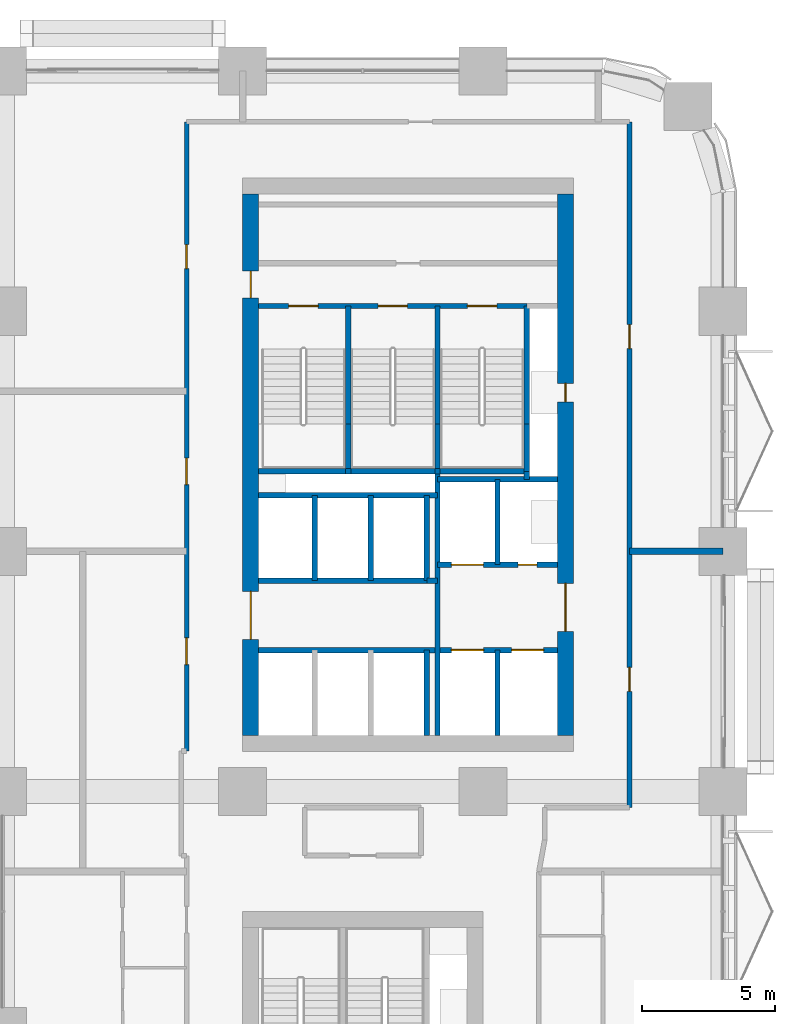
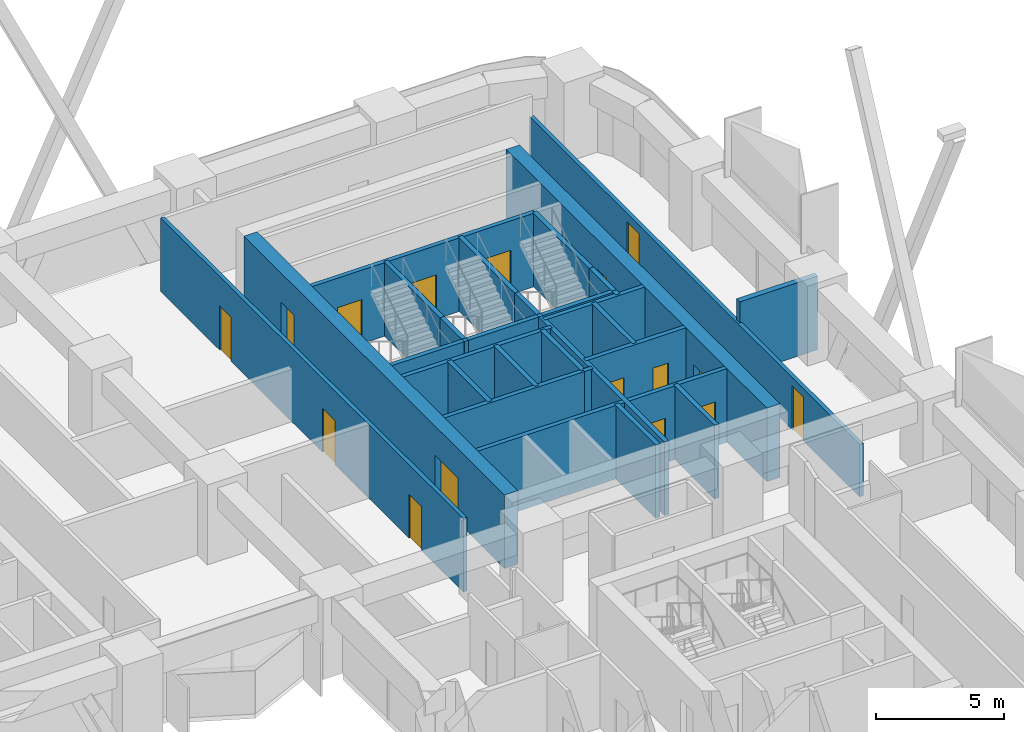
# One storey, part 16 of 19: 31 walls, 16 doors, 16 openings.
"""IFC4 building model written with IfcOpenShell, lengths in metres."""

from ifc_helpers import new_model, si_unit, direction, frame, frame_2d, origin, place, context, subcontext, project, spatial, rectangle, extrude, material, layer, layer_set, type_object, element, fill, save


model = new_model("IFC4")

# Units and contexts
model_context = context("Model", 3, precision=1e-05, world=origin(), true_north=direction((0.0, 1.0)))
body_context = subcontext(model_context, "Body", "Model", "MODEL_VIEW")
ifc_project = project(units=[si_unit("LENGTHUNIT", "METRE"), si_unit("AREAUNIT", "SQUARE_METRE"), si_unit("VOLUMEUNIT", "CUBIC_METRE"), si_unit("PLANEANGLEUNIT", "RADIAN"), si_unit("MASSUNIT", "GRAM", prefix="KILO")], contexts=[model_context])

# Site, building, storey
site_placement = place(None, origin())
site = spatial("IfcSite", under=ifc_project, at=site_placement, CompositionType="ELEMENT")
building_placement = place(site_placement, origin())
building = spatial("IfcBuilding", under=site, at=building_placement, Name="Tessera Arch", CompositionType="ELEMENT")
storey_placement = place(building_placement, frame((0.0, 0.0, 93.0)))
storey = spatial("IfcBuildingStorey", under=building, at=storey_placement, Name="L21", CompositionType="ELEMENT", Elevation=93.0)

# Wall
ifc_material_1 = material(Name="Gypsum board on steel stud", Category="steel")
ifc_layer_1 = layer(ifc_material_1, 0.125)
ifc_layer_set_1 = layer_set([ifc_layer_1], Name="Core partition 125 EI 60")
wall_type_1 = type_object("IfcWallType", Name="Core partition 125 EI 60", PredefinedType="PARTITIONING", material=ifc_layer_set_1)
wall_1_placement = place(storey_placement, frame((42.89990234375, 34.89990234375, 0.0), z_axis=(0.0, 0.0, 1.0), x_axis=(1.0, 0.0, 0.0)))
element("IfcWall", 1, at=wall_1_placement, inside=storey, type_object=wall_type_1, Name="L21 C1 partition wall 18", PredefinedType="PARTITIONING", context=body_context, shape_type="SweptSolid", body=[
    extrude(rectangle(XDim=0.400146484375, YDim=0.199951171875, at=frame_2d((0.2001953125, 0.0))), origin(), (0.0, 0.0, 1.0), 3.5),
])

# Wall, openings, doors
ifc_material_2 = material(Name="Concrete C70/85", Category="concrete")
ifc_layer_2 = layer(ifc_material_2, 0.60009765625)
ifc_layer_set_2 = layer_set([ifc_layer_2], Name="Core shell wall 600 C70-85")
wall_type_2 = type_object("IfcWallType", Name="Core shell wall 600 C70-85", PredefinedType="SHEAR", material=ifc_layer_set_2)
wall_2_placement = place(storey_placement, frame((36.300048828125, 29.10009765625, 0.0), z_axis=(0.0, 0.0, 1.0), x_axis=(0.0, 1.0, 0.0)))
wall_2 = element("IfcWall", 2, at=wall_2_placement, inside=storey, type_object=wall_type_2, Name="L21 C1 core wall W", PredefinedType="SHEAR", context=body_context, shape_type="SweptSolid", body=[
    extrude(rectangle(XDim=20.2998046875, YDim=0.60009765625, at=frame_2d((10.14990234375, 0.0))), origin(), (0.0, 0.0, 1.0), 3.5),
])
opening_1_placement = place(wall_2_placement, frame((3.60009765625, 0.0, 0.0)))
opening_1 = element("IfcOpeningElement", 3, at=opening_1_placement, cuts=wall_2, Name="Opening L21-C04", PredefinedType="OPENING", context=body_context, shape_type="SweptSolid", body=[
    extrude(rectangle(XDim=1.800048828125, YDim=2.10009765625, at=frame_2d((0.89990234375, 1.050048828125))), frame((0.0, 0.31005859375, 0.0), z_axis=(0.0, -1.0, 0.0), x_axis=(1.0, 0.0, 0.0)), (0.0, 0.0, 1.0), 0.6201171875),
])
opening_2_placement = place(wall_2_placement, frame((16.39990234375, 0.0, 0.0)))
opening_2 = element("IfcOpeningElement", 4, at=opening_2_placement, cuts=wall_2, Name="Opening L21-C11", PredefinedType="OPENING", context=body_context, shape_type="SweptSolid", body=[
    extrude(rectangle(XDim=1.0, YDim=2.10009765625, at=frame_2d((0.5, 1.050048828125))), frame((0.0, 0.31005859375, 0.0), z_axis=(0.0, -1.0, 0.0), x_axis=(1.0, 0.0, 0.0)), (0.0, 0.0, 1.0), 0.6201171875),
])
ifc_material_3 = material(Name="Steel door leaf", Category="steel")
door_type_1 = type_object("IfcDoorType", Name="Corridor door FD60 1000 x 2100", OperationType="SINGLE_SWING_LEFT", PredefinedType="DOOR", material=ifc_material_3)
door_1_placement = place(opening_2_placement, origin())
door_1 = element("IfcDoor", 5, at=door_1_placement, inside=storey, type_object=door_type_1, Name="L21 C1 door 11 C11 type D12", OperationType="SINGLE_SWING_RIGHT", OverallHeight=2.10009765625, OverallWidth=1.0, PredefinedType="DOOR", context=body_context, shape_type="SweptSolid", body=[
    extrude(rectangle(XDim=1.0, YDim=2.10009765625, at=frame_2d((0.5, 1.050048828125))), frame((0.0, 0.02490234375, 0.0), z_axis=(0.0, -1.0, 0.0), x_axis=(1.0, 0.0, 0.0)), (0.0, 0.0, 1.0), 0.050048828125),
])
fill(opening_2, door_1)
ifc_material_4 = material(Name="Glazed steel door leaf", Category="steel")
door_type_2 = type_object("IfcDoorType", Name="Lobby double door FD30S 1800 x 2100", OperationType="DOUBLE_DOOR_SINGLE_SWING", PredefinedType="DOOR", material=ifc_material_4)
door_2_placement = place(opening_1_placement, origin())
door_2 = element("IfcDoor", 6, at=door_2_placement, inside=storey, type_object=door_type_2, Name="L21 C1 door 4 C04 type D06", OperationType="DOUBLE_DOOR_SINGLE_SWING", OverallHeight=2.10009765625, OverallWidth=1.800048828125, PredefinedType="DOOR", context=body_context, shape_type="SweptSolid", body=[
    extrude(rectangle(XDim=1.800048828125, YDim=2.10009765625, at=frame_2d((0.89990234375, 1.050048828125))), frame((0.0, 0.02490234375, 0.0), z_axis=(0.0, -1.0, 0.0), x_axis=(1.0, 0.0, 0.0)), (0.0, 0.0, 1.0), 0.050048828125),
])
fill(opening_1, door_2)

wall_3_placement = place(storey_placement, frame((48.10009765625, 29.10009765625, 0.0), z_axis=(0.0, 0.0, 1.0), x_axis=(0.0, 1.0, 0.0)))
wall_3 = element("IfcWall", 7, at=wall_3_placement, inside=storey, type_object=wall_type_2, Name="L21 C1 core wall E", PredefinedType="SHEAR", context=body_context, shape_type="SweptSolid", body=[
    extrude(rectangle(XDim=20.2998046875, YDim=0.60009765625, at=frame_2d((10.14990234375, 0.0))), origin(), (0.0, 0.0, 1.0), 3.5),
])
opening_3_placement = place(wall_3_placement, frame((12.5, 0.0, 0.0)))
opening_3 = element("IfcOpeningElement", 8, at=opening_3_placement, cuts=wall_3, Name="Opening L21-C08", PredefinedType="OPENING", context=body_context, shape_type="SweptSolid", body=[
    extrude(rectangle(XDim=0.699951171875, YDim=2.10009765625, at=frame_2d((0.35009765625, 1.050048828125))), frame((0.0, 0.31005859375, 0.0), z_axis=(0.0, -1.0, 0.0), x_axis=(1.0, 0.0, 0.0)), (0.0, 0.0, 1.0), 0.6201171875),
])
opening_4_placement = place(wall_3_placement, frame((3.89990234375, 0.0, 0.0)))
opening_4 = element("IfcOpeningElement", 9, at=opening_4_placement, cuts=wall_3, Name="Opening L21-C09", PredefinedType="OPENING", context=body_context, shape_type="SweptSolid", body=[
    extrude(rectangle(XDim=1.800048828125, YDim=2.10009765625, at=frame_2d((0.89990234375, 1.050048828125))), frame((0.0, 0.31005859375, 0.0), z_axis=(0.0, -1.0, 0.0), x_axis=(1.0, 0.0, 0.0)), (0.0, 0.0, 1.0), 0.6201171875),
])
ifc_material_5 = material(Name="Glazed steel door leaf", Category="steel")
door_type_3 = type_object("IfcDoorType", Name="Lobby double door FD60 1800 x 2100", OperationType="DOUBLE_DOOR_SINGLE_SWING", PredefinedType="DOOR", material=ifc_material_5)
door_3_placement = place(opening_4_placement, origin())
door_3 = element("IfcDoor", 10, at=door_3_placement, inside=storey, type_object=door_type_3, Name="L21 C1 door 9 C09 type D19", OperationType="DOUBLE_DOOR_SINGLE_SWING", OverallHeight=2.10009765625, OverallWidth=1.800048828125, PredefinedType="DOOR", context=body_context, shape_type="SweptSolid", body=[
    extrude(rectangle(XDim=1.800048828125, YDim=2.10009765625, at=frame_2d((0.89990234375, 1.050048828125))), frame((0.0, 0.02490234375, 0.0), z_axis=(0.0, -1.0, 0.0), x_axis=(1.0, 0.0, 0.0)), (0.0, 0.0, 1.0), 0.050048828125),
])
fill(opening_4, door_3)
ifc_material_6 = material(Name="Steel door leaf", Category="steel")
door_type_4 = type_object("IfcDoorType", Name="Service shaft door FD60 700 x 2100", OperationType="SINGLE_SWING_LEFT", PredefinedType="DOOR", material=ifc_material_6)
door_4_placement = place(opening_3_placement, origin())
door_4 = element("IfcDoor", 11, at=door_4_placement, inside=storey, type_object=door_type_4, Name="L21 C1 door 8 C08 type D07", OperationType="SINGLE_SWING_RIGHT", OverallHeight=2.10009765625, OverallWidth=0.699951171875, PredefinedType="DOOR", context=body_context, shape_type="SweptSolid", body=[
    extrude(rectangle(XDim=0.699951171875, YDim=2.10009765625, at=frame_2d((0.35009765625, 1.050048828125))), frame((0.0, 0.02490234375, 0.0), z_axis=(0.0, -1.0, 0.0), x_axis=(1.0, 0.0, 0.0)), (0.0, 0.0, 1.0), 0.050048828125),
])
fill(opening_3, door_4)

ifc_material_7 = material(Name="Gypsum board on deep steel stud with mineral wool", Category="steel")
ifc_layer_3 = layer(ifc_material_7, 0.175048828125)
ifc_layer_set_3 = layer_set([ifc_layer_3], Name="Corridor wall 175 EI 60")
wall_type_3 = type_object("IfcWallType", Name="Corridor wall 175 EI 60", PredefinedType="PARTITIONING", material=ifc_layer_set_3)
wall_4_placement = place(storey_placement, frame((33.89990234375, 28.52001953125, 0.0), z_axis=(0.0, 0.0, 1.0), x_axis=(0.0, 1.0, 0.0)))
wall_4 = element("IfcWall", 12, at=wall_4_placement, inside=storey, type_object=wall_type_3, Name="L21 partition 15", PredefinedType="PARTITIONING", context=body_context, shape_type="SweptSolid", body=[
    extrude(rectangle(XDim=23.580078125, YDim=0.175048828125, at=frame_2d((11.7900390625, 0.0))), origin(), (0.0, 0.0, 1.0), 3.5),
])
opening_5_placement = place(wall_4_placement, frame((3.239990234375, 0.0, 0.0)))
opening_5 = element("IfcOpeningElement", 13, at=opening_5_placement, cuts=wall_4, Name="Opening L21-D014", PredefinedType="OPENING", context=body_context, shape_type="SweptSolid", body=[
    extrude(rectangle(XDim=1.0, YDim=2.10009765625, at=frame_2d((0.5, 1.050048828125))), frame((0.0, 0.097412109375, 0.0), z_axis=(0.0, -1.0, 0.0), x_axis=(1.0, 0.0, 0.0)), (0.0, 0.0, 1.0), 0.195068359375),
])
opening_6_placement = place(wall_4_placement, frame((9.97998046875, 0.0, 0.0)))
opening_6 = element("IfcOpeningElement", 14, at=opening_6_placement, cuts=wall_4, Name="Opening L21-D017", PredefinedType="OPENING", context=body_context, shape_type="SweptSolid", body=[
    extrude(rectangle(XDim=1.0, YDim=2.10009765625, at=frame_2d((0.5, 1.050048828125))), frame((0.0, 0.097412109375, 0.0), z_axis=(0.0, -1.0, 0.0), x_axis=(1.0, 0.0, 0.0)), (0.0, 0.0, 1.0), 0.195068359375),
])
opening_7_placement = place(wall_4_placement, frame((18.080078125, 0.0, 0.0)))
opening_7 = element("IfcOpeningElement", 15, at=opening_7_placement, cuts=wall_4, Name="Opening L21-D021", PredefinedType="OPENING", context=body_context, shape_type="SweptSolid", body=[
    extrude(rectangle(XDim=0.89990234375, YDim=2.10009765625, at=frame_2d((0.449951171875, 1.050048828125))), frame((0.0, 0.097412109375, 0.0), z_axis=(0.0, -1.0, 0.0), x_axis=(1.0, 0.0, 0.0)), (0.0, 0.0, 1.0), 0.195068359375),
])
ifc_material_8 = material(Name="Fire-rated door leaf")
door_type_5 = type_object("IfcDoorType", Name="Entrance door FD30S 1000 x 2100", OperationType="SINGLE_SWING_LEFT", PredefinedType="DOOR", material=ifc_material_8)
door_5_placement = place(opening_5_placement, origin())
door_5 = element("IfcDoor", 16, at=door_5_placement, inside=storey, type_object=door_type_5, Name="L21 door D014 type D03", OperationType="SINGLE_SWING_RIGHT", OverallHeight=2.10009765625, OverallWidth=1.0, PredefinedType="DOOR", context=body_context, shape_type="SweptSolid", body=[
    extrude(rectangle(XDim=1.0, YDim=2.10009765625, at=frame_2d((0.5, 1.050048828125))), frame((0.0, 0.02490234375, 0.0), z_axis=(0.0, -1.0, 0.0), x_axis=(1.0, 0.0, 0.0)), (0.0, 0.0, 1.0), 0.050048828125),
])
fill(opening_5, door_5)
door_6_placement = place(opening_6_placement, origin())
door_6 = element("IfcDoor", 17, at=door_6_placement, inside=storey, type_object=door_type_5, Name="L21 door D017 type D03", OperationType="SINGLE_SWING_LEFT", OverallHeight=2.10009765625, OverallWidth=1.0, PredefinedType="DOOR", context=body_context, shape_type="SweptSolid", body=[
    extrude(rectangle(XDim=1.0, YDim=2.10009765625, at=frame_2d((0.5, 1.050048828125))), frame((0.0, 0.02490234375, 0.0), z_axis=(0.0, -1.0, 0.0), x_axis=(1.0, 0.0, 0.0)), (0.0, 0.0, 1.0), 0.050048828125),
])
fill(opening_6, door_6)
ifc_material_9 = material(Name="Timber door leaf", Category="wood")
door_type_6 = type_object("IfcDoorType", Name="Room door 900 x 2100", OperationType="SINGLE_SWING_LEFT", PredefinedType="DOOR", material=ifc_material_9)
door_7_placement = place(opening_7_placement, origin())
door_7 = element("IfcDoor", 18, at=door_7_placement, inside=storey, type_object=door_type_6, Name="L21 door D021 type D01", OperationType="SINGLE_SWING_LEFT", OverallHeight=2.10009765625, OverallWidth=0.89990234375, PredefinedType="DOOR", context=body_context, shape_type="SweptSolid", body=[
    extrude(rectangle(XDim=0.89990234375, YDim=2.10009765625, at=frame_2d((0.449951171875, 1.050048828125))), frame((0.0, 0.02490234375, 0.0), z_axis=(0.0, -1.0, 0.0), x_axis=(1.0, 0.0, 0.0)), (0.0, 0.0, 1.0), 0.050048828125),
])
fill(opening_7, door_7)

wall_5_placement = place(storey_placement, frame((50.5, 26.39990234375, 0.0), z_axis=(0.0, 0.0, 1.0), x_axis=(0.0, 1.0, 0.0)))
wall_5 = element("IfcWall", 19, at=wall_5_placement, inside=storey, type_object=wall_type_3, Name="L21 partition 20", PredefinedType="PARTITIONING", context=body_context, shape_type="SweptSolid", body=[
    extrude(rectangle(XDim=25.7001953125, YDim=0.175048828125, at=frame_2d((12.85009765625, 0.0))), origin(), (0.0, 0.0, 1.0), 2.5),
])
opening_8_placement = place(wall_5_placement, frame((4.35009765625, 0.0, 0.0)))
opening_8 = element("IfcOpeningElement", 20, at=opening_8_placement, cuts=wall_5, Name="Opening L21-D013", PredefinedType="OPENING", context=body_context, shape_type="SweptSolid", body=[
    extrude(rectangle(XDim=0.89990234375, YDim=2.10009765625, at=frame_2d((0.449951171875, 1.050048828125))), frame((0.0, 0.097412109375, 0.0), z_axis=(0.0, -1.0, 0.0), x_axis=(1.0, 0.0, 0.0)), (0.0, 0.0, 1.0), 0.195068359375),
])
opening_9_placement = place(wall_5_placement, frame((17.199951171875, 0.0, 0.0)))
opening_9 = element("IfcOpeningElement", 21, at=opening_9_placement, cuts=wall_5, Name="Opening L21-D019", PredefinedType="OPENING", context=body_context, shape_type="SweptSolid", body=[
    extrude(rectangle(XDim=0.89990234375, YDim=2.10009765625, at=frame_2d((0.449951171875, 1.050048828125))), frame((0.0, 0.097412109375, 0.0), z_axis=(0.0, -1.0, 0.0), x_axis=(1.0, 0.0, 0.0)), (0.0, 0.0, 1.0), 0.195068359375),
])
door_8_placement = place(opening_8_placement, origin())
door_8 = element("IfcDoor", 22, at=door_8_placement, inside=storey, type_object=door_type_6, Name="L21 door D013 type D01", OperationType="SINGLE_SWING_RIGHT", OverallHeight=2.10009765625, OverallWidth=0.89990234375, PredefinedType="DOOR", context=body_context, shape_type="SweptSolid", body=[
    extrude(rectangle(XDim=0.89990234375, YDim=2.10009765625, at=frame_2d((0.449951171875, 1.050048828125))), frame((0.0, 0.02490234375, 0.0), z_axis=(0.0, -1.0, 0.0), x_axis=(1.0, 0.0, 0.0)), (0.0, 0.0, 1.0), 0.050048828125),
])
fill(opening_8, door_8)
door_9_placement = place(opening_9_placement, origin())
door_9 = element("IfcDoor", 23, at=door_9_placement, inside=storey, type_object=door_type_6, Name="L21 door D019 type D01", OperationType="SINGLE_SWING_RIGHT", OverallHeight=2.10009765625, OverallWidth=0.89990234375, PredefinedType="DOOR", context=body_context, shape_type="SweptSolid", body=[
    extrude(rectangle(XDim=0.89990234375, YDim=2.10009765625, at=frame_2d((0.449951171875, 1.050048828125))), frame((0.0, 0.02490234375, 0.0), z_axis=(0.0, -1.0, 0.0), x_axis=(1.0, 0.0, 0.0)), (0.0, 0.0, 1.0), 0.050048828125),
])
fill(opening_9, door_9)

# Walls
ifc_material_10 = material(Name="Double gypsum board on twin steel stud with acoustic mineral wool", Category="steel")
ifc_layer_4 = layer(ifc_material_10, 0.25)
ifc_layer_set_4 = layer_set([ifc_layer_4], Name="Party wall 250 EI 60")
wall_type_4 = type_object("IfcWallType", Name="Party wall 250 EI 60", PredefinedType="PARTITIONING", material=ifc_layer_set_4)
wall_6_placement = place(storey_placement, frame((50.5, 36.0, 0.0), z_axis=(0.0, 0.0, 1.0), x_axis=(1.0, 0.0, 0.0)))
element("IfcWall", 24, at=wall_6_placement, inside=storey, type_object=wall_type_4, Name="L21 partition 31", PredefinedType="PARTITIONING", context=body_context, shape_type="SweptSolid", body=[
    extrude(rectangle(XDim=3.5, YDim=0.25, at=frame_2d((1.75, 0.0))), origin(), (0.0, 0.0, 1.0), 3.5),
])
ifc_material_11 = material(Name="Concrete C40/50", Category="concrete")
ifc_layer_5 = layer(ifc_material_11, 0.199951171875)
ifc_layer_set_5 = layer_set([ifc_layer_5], Name="Shaft wall 200 EI 120")
wall_type_5 = type_object("IfcWallType", Name="Shaft wall 200 EI 120", PredefinedType="SOLIDWALL", material=ifc_layer_set_5)
for number, where, z_axis, x_axis, name in (
    (25, (38.699951171875, 34.89990234375, 0.0), (0.0, 0.0, 1.0), (0.0, 1.0, 0.0), "L21 C1 shaft wall 2"),
    (26, (40.800048828125, 34.89990234375, 0.0), (0.0, 0.0, 1.0), (0.0, 1.0, 0.0), "L21 C1 shaft wall 6"),
):
    element("IfcWall", number, at=place(storey_placement, frame(where, z_axis=z_axis, x_axis=x_axis)), inside=storey, type_object=wall_type_5, Name=name, PredefinedType="SOLIDWALL", context=body_context, shape_type="SweptSolid", body=[
        extrude(rectangle(XDim=3.2001953125, YDim=0.199951171875, at=frame_2d((1.60009765625, 0.0))), origin(), (0.0, 0.0, 1.0), 3.5),
    ])
wall_7_placement = place(storey_placement, frame((42.89990234375, 29.10009765625, 0.0), z_axis=(0.0, 0.0, 1.0), x_axis=(0.0, 1.0, 0.0)))
element("IfcWall", 27, at=wall_7_placement, inside=storey, type_object=wall_type_5, Name="L21 C1 shaft wall 7", PredefinedType="SOLIDWALL", context=body_context, shape_type="SweptSolid", body=[
    extrude(rectangle(XDim=3.199951171875, YDim=0.199951171875, at=frame_2d((1.60009765625, 0.0))), origin(), (0.0, 0.0, 1.0), 3.5),
])
wall_8_placement = place(storey_placement, frame((42.89990234375, 34.89990234375, 0.0), z_axis=(0.0, 0.0, 1.0), x_axis=(0.0, 1.0, 0.0)))
element("IfcWall", 28, at=wall_8_placement, inside=storey, type_object=wall_type_5, Name="L21 C1 shaft wall 8", PredefinedType="SOLIDWALL", context=body_context, shape_type="SweptSolid", body=[
    extrude(rectangle(XDim=3.2001953125, YDim=0.199951171875, at=frame_2d((1.60009765625, 0.0))), origin(), (0.0, 0.0, 1.0), 3.5),
])
wall_9_placement = place(storey_placement, frame((43.300048828125, 29.10009765625, 0.0), z_axis=(0.0, 0.0, 1.0), x_axis=(0.0, 1.0, 0.0)))
element("IfcWall", 29, at=wall_9_placement, inside=storey, type_object=wall_type_5, Name="L21 C1 shaft wall 9", PredefinedType="SOLIDWALL", context=body_context, shape_type="SweptSolid", body=[
    extrude(rectangle(XDim=9.89990234375, YDim=0.199951171875, at=frame_2d((4.949951171875, 0.0))), origin(), (0.0, 0.0, 1.0), 3.5),
])
for number, where, z_axis, x_axis, name in (
    (30, (45.550048828125, 29.10009765625, 0.0), (0.0, 0.0, 1.0), (0.0, 1.0, 0.0), "L21 C1 shaft wall 12"),
    (31, (45.550048828125, 35.5, 0.0), (0.0, 0.0, 1.0), (0.0, 1.0, 0.0), "L21 C1 shaft wall 13"),
):
    element("IfcWall", number, at=place(storey_placement, frame(where, z_axis=z_axis, x_axis=x_axis)), inside=storey, type_object=wall_type_5, Name=name, PredefinedType="SOLIDWALL", context=body_context, shape_type="SweptSolid", body=[
        extrude(rectangle(XDim=3.199951171875, YDim=0.199951171875, at=frame_2d((1.60009765625, 0.0))), origin(), (0.0, 0.0, 1.0), 3.5),
    ])
wall_10_placement = place(storey_placement, frame((46.64990234375, 38.699951171875, 0.0), z_axis=(0.0, 0.0, 1.0), x_axis=(0.0, 1.0, 0.0)))
element("IfcWall", 32, at=wall_10_placement, inside=storey, type_object=wall_type_5, Name="L21 C1 shaft wall 14", PredefinedType="SOLIDWALL", context=body_context, shape_type="SweptSolid", body=[
    extrude(rectangle(XDim=0.300048828125, YDim=0.199951171875, at=frame_2d((0.14990234375, 0.0))), origin(), (0.0, 0.0, 1.0), 3.5),
])

# Wall, openings, doors
wall_11_placement = place(storey_placement, frame((36.60009765625, 32.300048828125, 0.0), z_axis=(0.0, 0.0, 1.0), x_axis=(1.0, 0.0, 0.0)))
wall_11 = element("IfcWall", 33, at=wall_11_placement, inside=storey, type_object=wall_type_5, Name="L21 C1 shaft wall 17", PredefinedType="SOLIDWALL", context=body_context, shape_type="SweptSolid", body=[
    extrude(rectangle(XDim=11.199951171875, YDim=0.199951171875, at=frame_2d((5.60009765625, 0.0))), origin(), (0.0, 0.0, 1.0), 3.5),
])
opening_10_placement = place(wall_11_placement, frame((7.22509765625, 0.0, 0.0)))
opening_10 = element("IfcOpeningElement", 34, at=opening_10_placement, cuts=wall_11, Name="Opening L21-C01", PredefinedType="OPENING", context=body_context, shape_type="SweptSolid", body=[
    extrude(rectangle(XDim=1.199951171875, YDim=2.10009765625, at=frame_2d((0.60009765625, 1.050048828125))), frame((0.0, 0.10986328125, 0.0), z_axis=(0.0, -1.0, 0.0), x_axis=(1.0, 0.0, 0.0)), (0.0, 0.0, 1.0), 0.219970703125),
])
opening_11_placement = place(wall_11_placement, frame((9.47509765625, 0.0, 0.0)))
opening_11 = element("IfcOpeningElement", 35, at=opening_11_placement, cuts=wall_11, Name="Opening L21-C02", PredefinedType="OPENING", context=body_context, shape_type="SweptSolid", body=[
    extrude(rectangle(XDim=1.199951171875, YDim=2.10009765625, at=frame_2d((0.60009765625, 1.050048828125))), frame((0.0, 0.10986328125, 0.0), z_axis=(0.0, -1.0, 0.0), x_axis=(1.0, 0.0, 0.0)), (0.0, 0.0, 1.0), 0.219970703125),
])
ifc_material_12 = material(Name="Stainless steel AISI 304", Category="steel")
door_type_7 = type_object("IfcDoorType", Name="Sliding landing door 1200 x 2100", OperationType="SLIDING_TO_LEFT", PredefinedType="DOOR", material=ifc_material_12)
door_10_placement = place(opening_10_placement, origin())
door_10 = element("IfcDoor", 36, at=door_10_placement, inside=storey, type_object=door_type_7, Name="L21 FF1 lift landing door C01 type LD", OperationType="SLIDING_TO_LEFT", OverallHeight=2.10009765625, OverallWidth=1.199951171875, PredefinedType="DOOR", context=body_context, shape_type="SweptSolid", body=[
    extrude(rectangle(XDim=1.199951171875, YDim=2.10009765625, at=frame_2d((0.60009765625, 1.050048828125))), frame((0.0, 0.02490234375, 0.0), z_axis=(0.0, -1.0, 0.0), x_axis=(1.0, 0.0, 0.0)), (0.0, 0.0, 1.0), 0.050048828125),
])
fill(opening_10, door_10)
door_11_placement = place(opening_11_placement, origin())
door_11 = element("IfcDoor", 37, at=door_11_placement, inside=storey, type_object=door_type_7, Name="L21 FF2 lift landing door C02 type LD", OperationType="SLIDING_TO_LEFT", OverallHeight=2.10009765625, OverallWidth=1.199951171875, PredefinedType="DOOR", context=body_context, shape_type="SweptSolid", body=[
    extrude(rectangle(XDim=1.199951171875, YDim=2.10009765625, at=frame_2d((0.60009765625, 1.050048828125))), frame((0.0, 0.02490234375, 0.0), z_axis=(0.0, -1.0, 0.0), x_axis=(1.0, 0.0, 0.0)), (0.0, 0.0, 1.0), 0.050048828125),
])
fill(opening_11, door_11)

# Wall
wall_12_placement = place(storey_placement, frame((36.60009765625, 34.89990234375, 0.0), z_axis=(0.0, 0.0, 1.0), x_axis=(1.0, 0.0, 0.0)))
element("IfcWall", 38, at=wall_12_placement, inside=storey, type_object=wall_type_5, Name="L21 C1 shaft wall 19", PredefinedType="SOLIDWALL", context=body_context, shape_type="SweptSolid", body=[
    extrude(rectangle(XDim=6.2998046875, YDim=0.199951171875, at=frame_2d((3.14990234375, 0.0))), origin(), (0.0, 0.0, 1.0), 3.5),
])

# Wall, openings, doors
wall_13_placement = place(storey_placement, frame((43.300048828125, 35.5, 0.0), z_axis=(0.0, 0.0, 1.0), x_axis=(1.0, 0.0, 0.0)))
wall_13 = element("IfcWall", 39, at=wall_13_placement, inside=storey, type_object=wall_type_5, Name="L21 C1 shaft wall 20", PredefinedType="SOLIDWALL", context=body_context, shape_type="SweptSolid", body=[
    extrude(rectangle(XDim=4.5, YDim=0.199951171875, at=frame_2d((2.25, 0.0))), origin(), (0.0, 0.0, 1.0), 3.5),
])
opening_12_placement = place(wall_13_placement, frame((0.52490234375, 0.0, 0.0)))
opening_12 = element("IfcOpeningElement", 40, at=opening_12_placement, cuts=wall_13, Name="Opening L21-C03", PredefinedType="OPENING", context=body_context, shape_type="SweptSolid", body=[
    extrude(rectangle(XDim=1.199951171875, YDim=2.10009765625, at=frame_2d((0.60009765625, 1.050048828125))), frame((0.0, 0.10986328125, 0.0), z_axis=(0.0, -1.0, 0.0), x_axis=(1.0, 0.0, 0.0)), (0.0, 0.0, 1.0), 0.219970703125),
])
opening_13_placement = place(wall_13_placement, frame((3.02490234375, 0.0, 0.0)))
opening_13 = element("IfcOpeningElement", 41, at=opening_13_placement, cuts=wall_13, Name="Opening L21-C10", PredefinedType="OPENING", context=body_context, shape_type="SweptSolid", body=[
    extrude(rectangle(XDim=0.699951171875, YDim=2.10009765625, at=frame_2d((0.35009765625, 1.050048828125))), frame((0.0, 0.10986328125, 0.0), z_axis=(0.0, -1.0, 0.0), x_axis=(1.0, 0.0, 0.0)), (0.0, 0.0, 1.0), 0.219970703125),
])
door_12_placement = place(opening_13_placement, origin())
door_12 = element("IfcDoor", 42, at=door_12_placement, inside=storey, type_object=door_type_4, Name="L21 C1 door 10 C10 type D07", OperationType="SINGLE_SWING_RIGHT", OverallHeight=2.10009765625, OverallWidth=0.699951171875, PredefinedType="DOOR", context=body_context, shape_type="SweptSolid", body=[
    extrude(rectangle(XDim=0.699951171875, YDim=2.10009765625, at=frame_2d((0.35009765625, 1.050048828125))), frame((0.0, 0.02490234375, 0.0), z_axis=(0.0, -1.0, 0.0), x_axis=(1.0, 0.0, 0.0)), (0.0, 0.0, 1.0), 0.050048828125),
])
fill(opening_13, door_12)
door_13_placement = place(opening_12_placement, origin())
door_13 = element("IfcDoor", 43, at=door_13_placement, inside=storey, type_object=door_type_7, Name="L21 SV2 lift landing door C03 type LD", OperationType="SLIDING_TO_LEFT", OverallHeight=2.10009765625, OverallWidth=1.199951171875, PredefinedType="DOOR", context=body_context, shape_type="SweptSolid", body=[
    extrude(rectangle(XDim=1.199951171875, YDim=2.10009765625, at=frame_2d((0.60009765625, 1.050048828125))), frame((0.0, 0.02490234375, 0.0), z_axis=(0.0, -1.0, 0.0), x_axis=(1.0, 0.0, 0.0)), (0.0, 0.0, 1.0), 0.050048828125),
])
fill(opening_12, door_13)

# Walls
wall_14_placement = place(storey_placement, frame((36.60009765625, 38.10009765625, 0.0), z_axis=(0.0, 0.0, 1.0), x_axis=(1.0, 0.0, 0.0)))
element("IfcWall", 44, at=wall_14_placement, inside=storey, type_object=wall_type_5, Name="L21 C1 shaft wall 21", PredefinedType="SOLIDWALL", context=body_context, shape_type="SweptSolid", body=[
    extrude(rectangle(XDim=6.699951171875, YDim=0.199951171875, at=frame_2d((3.35009765625, 0.0))), origin(), (0.0, 0.0, 1.0), 3.5),
])
wall_15_placement = place(storey_placement, frame((43.300048828125, 38.699951171875, 0.0), z_axis=(0.0, 0.0, 1.0), x_axis=(1.0, 0.0, 0.0)))
element("IfcWall", 45, at=wall_15_placement, inside=storey, type_object=wall_type_5, Name="L21 C1 shaft wall 22", PredefinedType="SOLIDWALL", context=body_context, shape_type="SweptSolid", body=[
    extrude(rectangle(XDim=4.5, YDim=0.199951171875, at=frame_2d((2.25, 0.0))), origin(), (0.0, 0.0, 1.0), 3.5),
])
ifc_material_13 = material(Name="Concrete C40/50", Category="concrete")
ifc_layer_6 = layer(ifc_material_13, 0.199951171875)
ifc_layer_set_6 = layer_set([ifc_layer_6], Name="Stair well wall 200 REI 180")
wall_type_6 = type_object("IfcWallType", Name="Stair well wall 200 REI 180", PredefinedType="SOLIDWALL", material=ifc_layer_set_6)
wall_16_placement = place(storey_placement, frame((39.949951171875, 39.0, 0.0), z_axis=(0.0, 0.0, 1.0), x_axis=(0.0, 1.0, 0.0)))
element("IfcWall", 46, at=wall_16_placement, inside=storey, type_object=wall_type_6, Name="L21 C1 shaft wall 3", PredefinedType="SOLIDWALL", context=body_context, shape_type="SweptSolid", body=[
    extrude(rectangle(XDim=1.780029296875, YDim=0.199951171875, at=frame_2d((0.89013671875, 0.0))), origin(), (0.0, 0.0, 1.0), 3.5),
])
wall_17_placement = place(storey_placement, frame((39.949951171875, 40.780029296875, 0.0), z_axis=(0.0, 0.0, 1.0), x_axis=(0.0, 1.0, 0.0)))
element("IfcWall", 47, at=wall_17_placement, inside=storey, type_object=wall_type_6, Name="L21 C1 shaft wall 4", PredefinedType="SOLIDWALL", context=body_context, shape_type="SweptSolid", body=[
    extrude(rectangle(XDim=4.419921875, YDim=0.199951171875, at=frame_2d((2.2099609375, 0.0))), origin(), (0.0, 0.0, 1.0), 3.5),
])
wall_18_placement = place(storey_placement, frame((43.300048828125, 39.0, 0.0), z_axis=(0.0, 0.0, 1.0), x_axis=(0.0, 1.0, 0.0)))
element("IfcWall", 48, at=wall_18_placement, inside=storey, type_object=wall_type_6, Name="L21 C1 shaft wall 10", PredefinedType="SOLIDWALL", context=body_context, shape_type="SweptSolid", body=[
    extrude(rectangle(XDim=1.780029296875, YDim=0.199951171875, at=frame_2d((0.89013671875, 0.0))), origin(), (0.0, 0.0, 1.0), 3.5),
])
wall_19_placement = place(storey_placement, frame((43.300048828125, 40.780029296875, 0.0), z_axis=(0.0, 0.0, 1.0), x_axis=(0.0, 1.0, 0.0)))
element("IfcWall", 49, at=wall_19_placement, inside=storey, type_object=wall_type_6, Name="L21 C1 shaft wall 11", PredefinedType="SOLIDWALL", context=body_context, shape_type="SweptSolid", body=[
    extrude(rectangle(XDim=4.419921875, YDim=0.199951171875, at=frame_2d((2.2099609375, 0.0))), origin(), (0.0, 0.0, 1.0), 3.5),
])
wall_20_placement = place(storey_placement, frame((46.64990234375, 39.0, 0.0), z_axis=(0.0, 0.0, 1.0), x_axis=(0.0, 1.0, 0.0)))
element("IfcWall", 50, at=wall_20_placement, inside=storey, type_object=wall_type_6, Name="L21 C1 shaft wall 15", PredefinedType="SOLIDWALL", context=body_context, shape_type="SweptSolid", body=[
    extrude(rectangle(XDim=1.780029296875, YDim=0.199951171875, at=frame_2d((0.89013671875, 0.0))), origin(), (0.0, 0.0, 1.0), 3.5),
])
wall_21_placement = place(storey_placement, frame((46.64990234375, 40.780029296875, 0.0), z_axis=(0.0, 0.0, 1.0), x_axis=(0.0, 1.0, 0.0)))
element("IfcWall", 51, at=wall_21_placement, inside=storey, type_object=wall_type_6, Name="L21 C1 shaft wall 16", PredefinedType="SOLIDWALL", context=body_context, shape_type="SweptSolid", body=[
    extrude(rectangle(XDim=4.419921875, YDim=0.199951171875, at=frame_2d((2.2099609375, 0.0))), origin(), (0.0, 0.0, 1.0), 3.5),
])
wall_22_placement = place(storey_placement, frame((36.60009765625, 39.0, 0.0), z_axis=(0.0, 0.0, 1.0), x_axis=(1.0, 0.0, 0.0)))
element("IfcWall", 52, at=wall_22_placement, inside=storey, type_object=wall_type_6, Name="L21 C1 shaft wall 23", PredefinedType="SOLIDWALL", context=body_context, shape_type="SweptSolid", body=[
    extrude(rectangle(XDim=3.25, YDim=0.199951171875, at=frame_2d((1.625, 0.0))), origin(), (0.0, 0.0, 1.0), 3.5),
])
wall_23_placement = place(storey_placement, frame((39.85009765625, 39.0, 0.0), z_axis=(0.0, 0.0, 1.0), x_axis=(1.0, 0.0, 0.0)))
element("IfcWall", 53, at=wall_23_placement, inside=storey, type_object=wall_type_6, Name="L21 C1 shaft wall 24", PredefinedType="SOLIDWALL", context=body_context, shape_type="SweptSolid", body=[
    extrude(rectangle(XDim=0.199951171875, YDim=0.199951171875, at=frame_2d((0.10009765625, 0.0))), origin(), (0.0, 0.0, 1.0), 3.5),
])
wall_24_placement = place(storey_placement, frame((40.050048828125, 39.0, 0.0), z_axis=(0.0, 0.0, 1.0), x_axis=(1.0, 0.0, 0.0)))
element("IfcWall", 54, at=wall_24_placement, inside=storey, type_object=wall_type_6, Name="L21 C1 shaft wall 25", PredefinedType="SOLIDWALL", context=body_context, shape_type="SweptSolid", body=[
    extrude(rectangle(XDim=3.14990234375, YDim=0.199951171875, at=frame_2d((1.574951171875, 0.0))), origin(), (0.0, 0.0, 1.0), 3.5),
])
wall_25_placement = place(storey_placement, frame((43.199951171875, 39.0, 0.0), z_axis=(0.0, 0.0, 1.0), x_axis=(1.0, 0.0, 0.0)))
element("IfcWall", 55, at=wall_25_placement, inside=storey, type_object=wall_type_6, Name="L21 C1 shaft wall 26", PredefinedType="SOLIDWALL", context=body_context, shape_type="SweptSolid", body=[
    extrude(rectangle(XDim=0.199951171875, YDim=0.199951171875, at=frame_2d((0.10009765625, 0.0))), origin(), (0.0, 0.0, 1.0), 3.5),
])
wall_26_placement = place(storey_placement, frame((43.39990234375, 39.0, 0.0), z_axis=(0.0, 0.0, 1.0), x_axis=(1.0, 0.0, 0.0)))
element("IfcWall", 56, at=wall_26_placement, inside=storey, type_object=wall_type_6, Name="L21 C1 shaft wall 27", PredefinedType="SOLIDWALL", context=body_context, shape_type="SweptSolid", body=[
    extrude(rectangle(XDim=3.25, YDim=0.199951171875, at=frame_2d((1.625, 0.0))), origin(), (0.0, 0.0, 1.0), 3.5),
])

# Wall, openings, doors
wall_27_placement = place(storey_placement, frame((36.60009765625, 45.199951171875, 0.0), z_axis=(0.0, 0.0, 1.0), x_axis=(1.0, 0.0, 0.0)))
wall_27 = element("IfcWall", 57, at=wall_27_placement, inside=storey, type_object=wall_type_6, Name="L21 C1 shaft wall 29", PredefinedType="SOLIDWALL", context=body_context, shape_type="SweptSolid", body=[
    extrude(rectangle(XDim=10.0498046875, YDim=0.199951171875, at=frame_2d((5.02490234375, 0.0))), origin(), (0.0, 0.0, 1.0), 3.5),
])
opening_14_placement = place(wall_27_placement, frame((1.125, 0.0, 0.0)))
opening_14 = element("IfcOpeningElement", 58, at=opening_14_placement, cuts=wall_27, Name="Opening L21-C05", PredefinedType="OPENING", context=body_context, shape_type="SweptSolid", body=[
    extrude(rectangle(XDim=1.10009765625, YDim=2.10009765625, at=frame_2d((0.550048828125, 1.050048828125))), frame((0.0, 0.10986328125, 0.0), z_axis=(0.0, -1.0, 0.0), x_axis=(1.0, 0.0, 0.0)), (0.0, 0.0, 1.0), 0.219970703125),
])
opening_15_placement = place(wall_27_placement, frame((4.47509765625, 0.0, 0.0)))
opening_15 = element("IfcOpeningElement", 59, at=opening_15_placement, cuts=wall_27, Name="Opening L21-C06", PredefinedType="OPENING", context=body_context, shape_type="SweptSolid", body=[
    extrude(rectangle(XDim=1.10009765625, YDim=2.10009765625, at=frame_2d((0.550048828125, 1.050048828125))), frame((0.0, 0.10986328125, 0.0), z_axis=(0.0, -1.0, 0.0), x_axis=(1.0, 0.0, 0.0)), (0.0, 0.0, 1.0), 0.219970703125),
])
opening_16_placement = place(wall_27_placement, frame((7.824951171875, 0.0, 0.0)))
opening_16 = element("IfcOpeningElement", 60, at=opening_16_placement, cuts=wall_27, Name="Opening L21-C07", PredefinedType="OPENING", context=body_context, shape_type="SweptSolid", body=[
    extrude(rectangle(XDim=1.10009765625, YDim=2.10009765625, at=frame_2d((0.550048828125, 1.050048828125))), frame((0.0, 0.10986328125, 0.0), z_axis=(0.0, -1.0, 0.0), x_axis=(1.0, 0.0, 0.0)), (0.0, 0.0, 1.0), 0.219970703125),
])
ifc_material_14 = material(Name="Steel door leaf", Category="steel")
door_type_8 = type_object("IfcDoorType", Name="Stair door FD60 1100 x 2100", OperationType="SINGLE_SWING_LEFT", PredefinedType="DOOR", material=ifc_material_14)
door_14_placement = place(opening_14_placement, origin())
door_14 = element("IfcDoor", 61, at=door_14_placement, inside=storey, type_object=door_type_8, Name="L21 C1 door 5 C05 type D05", OperationType="SINGLE_SWING_LEFT", OverallHeight=2.10009765625, OverallWidth=1.10009765625, PredefinedType="DOOR", context=body_context, shape_type="SweptSolid", body=[
    extrude(rectangle(XDim=1.10009765625, YDim=2.10009765625, at=frame_2d((0.550048828125, 1.050048828125))), frame((0.0, 0.02490234375, 0.0), z_axis=(0.0, -1.0, 0.0), x_axis=(1.0, 0.0, 0.0)), (0.0, 0.0, 1.0), 0.050048828125),
])
fill(opening_14, door_14)
door_15_placement = place(opening_15_placement, origin())
door_15 = element("IfcDoor", 62, at=door_15_placement, inside=storey, type_object=door_type_8, Name="L21 C1 door 6 C06 type D05", OperationType="SINGLE_SWING_RIGHT", OverallHeight=2.10009765625, OverallWidth=1.10009765625, PredefinedType="DOOR", context=body_context, shape_type="SweptSolid", body=[
    extrude(rectangle(XDim=1.10009765625, YDim=2.10009765625, at=frame_2d((0.550048828125, 1.050048828125))), frame((0.0, 0.02490234375, 0.0), z_axis=(0.0, -1.0, 0.0), x_axis=(1.0, 0.0, 0.0)), (0.0, 0.0, 1.0), 0.050048828125),
])
fill(opening_15, door_15)
door_16_placement = place(opening_16_placement, origin())
door_16 = element("IfcDoor", 63, at=door_16_placement, inside=storey, type_object=door_type_8, Name="L21 C1 door 7 C07 type D05", OperationType="SINGLE_SWING_RIGHT", OverallHeight=2.10009765625, OverallWidth=1.10009765625, PredefinedType="DOOR", context=body_context, shape_type="SweptSolid", body=[
    extrude(rectangle(XDim=1.10009765625, YDim=2.10009765625, at=frame_2d((0.550048828125, 1.050048828125))), frame((0.0, 0.02490234375, 0.0), z_axis=(0.0, -1.0, 0.0), x_axis=(1.0, 0.0, 0.0)), (0.0, 0.0, 1.0), 0.050048828125),
])
fill(opening_16, door_16)

save(model, "model.ifc")
